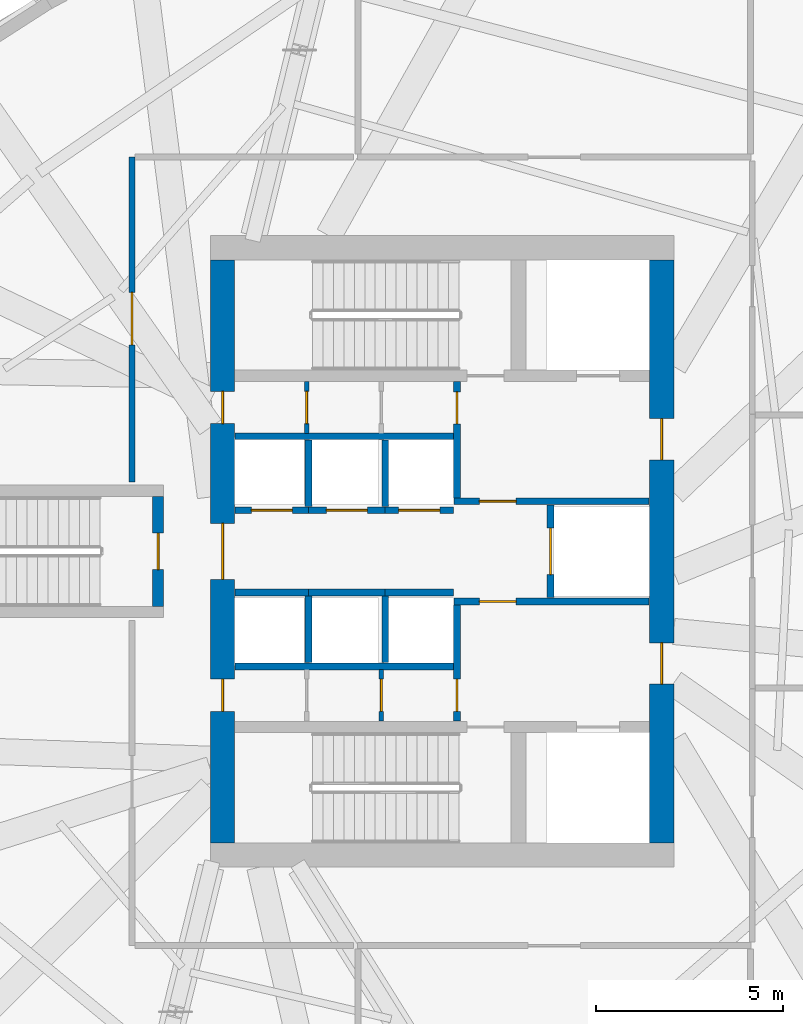
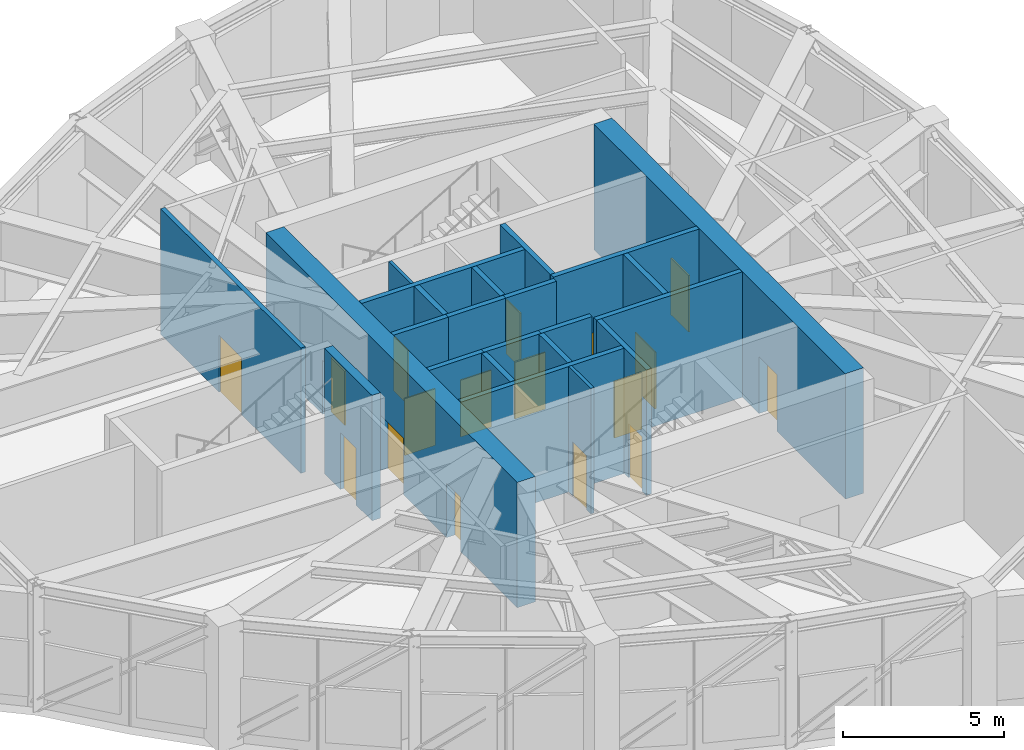
# One storey, part 4 of 9: 23 walls, 17 doors, 17 openings.
"""IFC4 building model written with IfcOpenShell, lengths in metres."""

from ifc_helpers import new_model, si_unit, direction, frame, frame_2d, origin, place, context, subcontext, project, spatial, rectangle, extrude, source, transform, mapped, material, layer, layer_set, type_object, element, fill, save


model = new_model("IFC4")

# Units and contexts
model_context = context("Model", 3, precision=1e-05, world=origin(), true_north=direction((0.0, 1.0)))
body_context = subcontext(model_context, "Body", "Model", "MODEL_VIEW")
ifc_project = project(units=[si_unit("LENGTHUNIT", "METRE"), si_unit("AREAUNIT", "SQUARE_METRE"), si_unit("VOLUMEUNIT", "CUBIC_METRE"), si_unit("PLANEANGLEUNIT", "RADIAN"), si_unit("MASSUNIT", "GRAM", prefix="KILO")], contexts=[model_context])

# Site, building, storey
site_placement = place(None, origin())
site = spatial("IfcSite", under=ifc_project, at=site_placement, CompositionType="ELEMENT")
building_placement = place(site_placement, origin())
building = spatial("IfcBuilding", under=site, at=building_placement, Name="Qafzar Sky-Pleat Residences", CompositionType="ELEMENT")
storey_placement = place(building_placement, frame((0.0, 0.0, 128.0)))
storey = spatial("IfcBuildingStorey", under=building, at=storey_placement, Name="L38", CompositionType="ELEMENT", Elevation=128.0)

# Wall, opening, door
ifc_material_1 = material(Name="Acoustic gypsum plasterboard partition", Category="gypsum")
ifc_layer_1 = layer(ifc_material_1, 0.159912109375)
ifc_layer_set_1 = layer_set([ifc_layer_1], Name="Acoustic gypsum plasterboard partition")
wall_type_1 = type_object("IfcWallType", Name="PART-COR-160", PredefinedType="PARTITIONING", material=ifc_layer_set_1)
wall_1_placement = place(storey_placement, frame((22.050048828125, 27.85009765625, 0.0), z_axis=(0.0, 0.0, 1.0), x_axis=(0.0, 1.0, 0.0)))
wall_1 = element("IfcWall", 1, at=wall_1_placement, inside=storey, type_object=wall_type_1, Name="L38 Partition Wall PART-L38-PW-004", PredefinedType="PARTITIONING", context=body_context, shape_type="SweptSolid", body=[
    extrude(rectangle(XDim=8.699951171875, YDim=0.159912109375, at=frame_2d((4.35009765625, 0.0))), origin(), (0.0, 0.0, 1.0), 4.75),
])
opening_1_placement = place(wall_1_placement, frame((3.679443359375, 0.0, 0.0)))
opening_1 = element("IfcOpeningElement", 2, at=opening_1_placement, cuts=wall_1, Name="Opening ID-10", PredefinedType="OPENING", context=body_context, shape_type="SweptSolid", body=[
    extrude(rectangle(XDim=1.39990234375, YDim=2.14990234375, at=frame_2d((0.699951171875, 1.074951171875))), frame((0.0, 0.08984375, 0.0), z_axis=(0.0, -1.0, 0.0), x_axis=(1.0, 0.0, 0.0)), (0.0, 0.0, 1.0), 0.179931640625),
])
ifc_material_2 = material(Name="Timber-faced fire door", Category="wood")
door_type_1 = type_object("IfcDoorType", Name="DR-PLANT-1400", OperationType="DOUBLE_DOOR_SINGLE_SWING", PredefinedType="DOOR", material=ifc_material_2)
shared_shape_1 = source(origin(), body_context, "Body", "SweptSolid", [
    extrude(rectangle(XDim=1.39990234375, YDim=2.14990234375, at=frame_2d((0.699951171875, 1.074951171875))), frame((0.0, 0.02490234375, 0.0), z_axis=(0.0, -1.0, 0.0), x_axis=(1.0, 0.0, 0.0)), (0.0, 0.0, 1.0), 0.050048828125),
])
door_1_placement = place(opening_1_placement, origin())
door_1 = element("IfcDoor", 3, at=door_1_placement, inside=storey, type_object=door_type_1, Name="L38 Chiller and Heat Exchanger Plant Room Door", OperationType="DOUBLE_DOOR_SINGLE_SWING", OverallHeight=2.14990234375, OverallWidth=1.39990234375, PredefinedType="DOOR", context=body_context, shape_type="MappedRepresentation", body=[
    mapped(shared_shape_1, transform((0.0, 0.0, 0.0), x_axis=(1.0, 0.0, 0.0), y_axis=(0.0, 1.0, 0.0), z_axis=(0.0, 0.0, 1.0), scale=1.0)),
])
fill(opening_1, door_1)

ifc_material_3 = material(Name="Concrete blockwork partition", Category="masonry")
ifc_layer_2 = layer(ifc_material_3, 0.179931640625)
ifc_layer_set_2 = layer_set([ifc_layer_2], Name="Concrete blockwork partition")
wall_type_2 = type_object("IfcWallType", Name="PART-SHAFT-180", PredefinedType="PARTITIONING", material=ifc_layer_set_2)
wall_2_placement = place(storey_placement, frame((30.75, 21.4599609375, 0.0), z_axis=(0.0, 0.0, 1.0), x_axis=(0.0, 1.0, 0.0)))
wall_2 = element("IfcWall", 4, at=wall_2_placement, inside=storey, type_object=wall_type_2, Name="L38 Partition Wall PART-L38-FFL1-W", PredefinedType="PARTITIONING", context=body_context, shape_type="SweptSolid", body=[
    extrude(rectangle(XDim=3.110107421875, YDim=0.179931640625, at=frame_2d((1.55517578125, 0.0))), origin(), (0.0, 0.0, 1.0), 4.75),
])
opening_2_placement = place(wall_2_placement, frame((0.260009765625, 0.0, 0.0)))
opening_2 = element("IfcOpeningElement", 5, at=opening_2_placement, cuts=wall_2, Name="Opening ID-09", PredefinedType="OPENING", context=body_context, shape_type="SweptSolid", body=[
    extrude(rectangle(XDim=0.860107421875, YDim=2.050048828125, at=frame_2d((0.43017578125, 1.02490234375))), frame((0.0, 0.10009765625, 0.0), z_axis=(0.0, -1.0, 0.0), x_axis=(1.0, 0.0, 0.0)), (0.0, 0.0, 1.0), 0.199951171875),
])
door_type_2 = type_object("IfcDoorType", Name="DR-SVC-860", OperationType="NOTDEFINED", PredefinedType="DOOR", material=ifc_material_2)
shared_shape_2 = source(origin(), body_context, "Body", "SweptSolid", [
    extrude(rectangle(XDim=0.860107421875, YDim=2.050048828125, at=frame_2d((0.43017578125, 1.02490234375))), frame((0.0, 0.02490234375, 0.0), z_axis=(0.0, -1.0, 0.0), x_axis=(1.0, 0.0, 0.0)), (0.0, 0.0, 1.0), 0.050048828125),
])
door_2_placement = place(opening_2_placement, origin())
door_2 = element("IfcDoor", 6, at=door_2_placement, inside=storey, type_object=door_type_2, Name="L38 South Core Cupboard Door", OperationType="SINGLE_SWING_LEFT", OverallHeight=2.050048828125, OverallWidth=0.860107421875, PredefinedType="DOOR", context=body_context, shape_type="MappedRepresentation", body=[
    mapped(shared_shape_2, transform((0.0, 0.0, 0.0), x_axis=(1.0, 0.0, 0.0), y_axis=(0.0, 1.0, 0.0), z_axis=(0.0, 0.0, 1.0), scale=1.0)),
])
fill(opening_2, door_2)

wall_3_placement = place(storey_placement, frame((30.669921875, 24.659912109375, 0.0), z_axis=(0.0, 0.0, 1.0), x_axis=(1.0, 0.0, 0.0)))
wall_3 = element("IfcWall", 7, at=wall_3_placement, inside=storey, type_object=wall_type_2, Name="L38 Partition Wall PART-L38-FFL1-N", PredefinedType="PARTITIONING", context=body_context, shape_type="SweptSolid", body=[
    extrude(rectangle(XDim=5.219970703125, YDim=0.179931640625, at=frame_2d((2.60986328125, 0.0))), origin(), (0.0, 0.0, 1.0), 4.75),
])
opening_3_placement = place(wall_3_placement, frame((0.679931640625, 0.0, 0.0)))
opening_3 = element("IfcOpeningElement", 8, at=opening_3_placement, cuts=wall_3, Name="Opening ID-01", PredefinedType="OPENING", context=body_context, shape_type="SweptSolid", body=[
    extrude(rectangle(XDim=0.97998046875, YDim=2.14990234375, at=frame_2d((0.489990234375, 1.074951171875))), frame((0.0, 0.10009765625, 0.0), z_axis=(0.0, -1.0, 0.0), x_axis=(1.0, 0.0, 0.0)), (0.0, 0.0, 1.0), 0.199951171875),
])
door_type_3 = type_object("IfcDoorType", Name="DR-STAIR-980", OperationType="NOTDEFINED", PredefinedType="DOOR", material=ifc_material_2)
shared_shape_3 = source(origin(), body_context, "Body", "SweptSolid", [
    extrude(rectangle(XDim=0.97998046875, YDim=2.14990234375, at=frame_2d((0.489990234375, 1.074951171875))), frame((0.0, 0.02490234375, 0.0), z_axis=(0.0, -1.0, 0.0), x_axis=(1.0, 0.0, 0.0)), (0.0, 0.0, 1.0), 0.050048828125),
])
door_3_placement = place(opening_3_placement, origin())
door_3 = element("IfcDoor", 9, at=door_3_placement, inside=storey, type_object=door_type_3, Name="L38 Lift Lobby to South Firefighting Lobby Door", OperationType="SINGLE_SWING_RIGHT", OverallHeight=2.14990234375, OverallWidth=0.97998046875, PredefinedType="DOOR", context=body_context, shape_type="MappedRepresentation", body=[
    mapped(shared_shape_3, transform((0.0, 0.0, 0.0), x_axis=(1.0, 0.0, 0.0), y_axis=(0.0, 1.0, 0.0), z_axis=(0.0, 0.0, 1.0), scale=1.0)),
])
fill(opening_3, door_3)

wall_4_placement = place(storey_placement, frame((30.75, 27.429931640625, 0.0), z_axis=(0.0, 0.0, 1.0), x_axis=(0.0, 1.0, 0.0)))
wall_4 = element("IfcWall", 10, at=wall_4_placement, inside=storey, type_object=wall_type_2, Name="L38 Partition Wall PART-L38-FFL2-W", PredefinedType="PARTITIONING", context=body_context, shape_type="SweptSolid", body=[
    extrude(rectangle(XDim=3.110107421875, YDim=0.179931640625, at=frame_2d((1.55517578125, 0.0))), origin(), (0.0, 0.0, 1.0), 4.75),
])
opening_4_placement = place(wall_4_placement, frame((1.97998046875, 0.0, 0.0)))
opening_4 = element("IfcOpeningElement", 11, at=opening_4_placement, cuts=wall_4, Name="Opening ID-09", PredefinedType="OPENING", context=body_context, shape_type="SweptSolid", body=[
    extrude(rectangle(XDim=0.860107421875, YDim=2.050048828125, at=frame_2d((0.43017578125, 1.02490234375))), frame((0.0, 0.10009765625, 0.0), z_axis=(0.0, -1.0, 0.0), x_axis=(1.0, 0.0, 0.0)), (0.0, 0.0, 1.0), 0.199951171875),
])
door_4_placement = place(opening_4_placement, origin())
door_4 = element("IfcDoor", 12, at=door_4_placement, inside=storey, type_object=door_type_2, Name="L38 North Core Cupboard Door", OperationType="SINGLE_SWING_LEFT", OverallHeight=2.050048828125, OverallWidth=0.860107421875, PredefinedType="DOOR", context=body_context, shape_type="MappedRepresentation", body=[
    mapped(shared_shape_2, transform((0.0, 0.0, 0.0), x_axis=(1.0, 0.0, 0.0), y_axis=(0.0, 1.0, 0.0), z_axis=(0.0, 0.0, 1.0), scale=1.0)),
])
fill(opening_4, door_4)

wall_5_placement = place(storey_placement, frame((30.669921875, 27.340087890625, 0.0), z_axis=(0.0, 0.0, 1.0), x_axis=(1.0, 0.0, 0.0)))
wall_5 = element("IfcWall", 13, at=wall_5_placement, inside=storey, type_object=wall_type_2, Name="L38 Partition Wall PART-L38-FFL2-S", PredefinedType="PARTITIONING", context=body_context, shape_type="SweptSolid", body=[
    extrude(rectangle(XDim=5.219970703125, YDim=0.179931640625, at=frame_2d((2.60986328125, 0.0))), origin(), (0.0, 0.0, 1.0), 4.75),
])
opening_5_placement = place(wall_5_placement, frame((0.679931640625, 0.0, 0.0)))
opening_5 = element("IfcOpeningElement", 14, at=opening_5_placement, cuts=wall_5, Name="Opening ID-01", PredefinedType="OPENING", context=body_context, shape_type="SweptSolid", body=[
    extrude(rectangle(XDim=0.97998046875, YDim=2.14990234375, at=frame_2d((0.489990234375, 1.074951171875))), frame((0.0, 0.10009765625, 0.0), z_axis=(0.0, -1.0, 0.0), x_axis=(1.0, 0.0, 0.0)), (0.0, 0.0, 1.0), 0.199951171875),
])
door_5_placement = place(opening_5_placement, origin())
door_5 = element("IfcDoor", 15, at=door_5_placement, inside=storey, type_object=door_type_3, Name="L38 Lift Lobby to North Firefighting Lobby Door", OperationType="SINGLE_SWING_RIGHT", OverallHeight=2.14990234375, OverallWidth=0.97998046875, PredefinedType="DOOR", context=body_context, shape_type="MappedRepresentation", body=[
    mapped(shared_shape_3, transform((0.0, 0.0, 0.0), x_axis=(1.0, 0.0, 0.0), y_axis=(0.0, 1.0, 0.0), z_axis=(0.0, 0.0, 1.0), scale=1.0)),
])
fill(opening_5, door_5)

wall_6_placement = place(storey_placement, frame((33.25, 24.760009765625, 0.0), z_axis=(0.0, 0.0, 1.0), x_axis=(0.0, 1.0, 0.0)))
wall_6 = element("IfcWall", 16, at=wall_6_placement, inside=storey, type_object=wall_type_2, Name="L38 Partition Wall PART-L38-SV1-W", PredefinedType="PARTITIONING", context=body_context, shape_type="SweptSolid", body=[
    extrude(rectangle(XDim=2.47998046875, YDim=0.179931640625, at=frame_2d((1.239990234375, 0.0))), origin(), (0.0, 0.0, 1.0), 4.75),
])
opening_6_placement = place(wall_6_placement, frame((0.614990234375, 0.0, 0.0)))
opening_6 = element("IfcOpeningElement", 17, at=opening_6_placement, cuts=wall_6, Name="Opening LD-03", PredefinedType="OPENING", context=body_context, shape_type="SweptSolid", body=[
    extrude(rectangle(XDim=1.25, YDim=2.14990234375, at=frame_2d((0.625, 1.074951171875))), frame((0.0, 0.10009765625, 0.0), z_axis=(0.0, -1.0, 0.0), x_axis=(1.0, 0.0, 0.0)), (0.0, 0.0, 1.0), 0.199951171875),
])
ifc_material_4 = material(Name="Stainless steel sliding landing door", Category="steel")
door_type_4 = type_object("IfcDoorType", Name="DR-LIFT-SV", OperationType="DOUBLE_DOOR_SLIDING", PredefinedType="DOOR", material=ifc_material_4)
shared_shape_4 = source(origin(), body_context, "Body", "SweptSolid", [
    extrude(rectangle(XDim=1.25, YDim=2.14990234375, at=frame_2d((0.625, 1.074951171875))), frame((0.0, 0.02490234375, 0.0), z_axis=(0.0, -1.0, 0.0), x_axis=(1.0, 0.0, 0.0)), (0.0, 0.0, 1.0), 0.050048828125),
])
door_6_placement = place(opening_6_placement, origin())
door_6 = element("IfcDoor", 18, at=door_6_placement, inside=storey, type_object=door_type_4, Name="L38 Service Lift SV1 Landing Door", OperationType="DOUBLE_DOOR_SLIDING", OverallHeight=2.14990234375, OverallWidth=1.25, PredefinedType="DOOR", context=body_context, shape_type="MappedRepresentation", body=[
    mapped(shared_shape_4, transform((0.0, 0.0, 0.0), x_axis=(1.0, 0.0, 0.0), y_axis=(0.0, 1.0, 0.0), z_axis=(0.0, 0.0, 1.0), scale=1.0)),
])
fill(opening_6, door_6)

# Walls
wall_7_placement = place(storey_placement, frame((24.81005859375, 22.919921875, 0.0), z_axis=(0.0, 0.0, 1.0), x_axis=(1.0, 0.0, 0.0)))
element("IfcWall", 19, at=wall_7_placement, inside=storey, type_object=wall_type_2, Name="L38 Partition Wall PART-L38-P13-S", PredefinedType="PARTITIONING", context=body_context, shape_type="SweptSolid", body=[
    extrude(rectangle(XDim=5.83984375, YDim=0.179931640625, at=frame_2d((2.919921875, 0.0))), origin(), (0.0, 0.0, 1.0), 4.75),
])
wall_8_placement = place(storey_placement, frame((24.81005859375, 24.89990234375, 0.0), z_axis=(0.0, 0.0, 1.0), x_axis=(1.0, 0.0, 0.0)))
element("IfcWall", 20, at=wall_8_placement, inside=storey, type_object=wall_type_2, Name="L38 Partition Wall PART-L38-P1-N", PredefinedType="PARTITIONING", context=body_context, shape_type="SweptSolid", body=[
    extrude(rectangle(XDim=1.96484375, YDim=0.179931640625, at=frame_2d((0.982421875, 0.0))), origin(), (0.0, 0.0, 1.0), 4.75),
])
wall_9_placement = place(storey_placement, frame((26.77490234375, 24.89990234375, 0.0), z_axis=(0.0, 0.0, 1.0), x_axis=(1.0, 0.0, 0.0)))
element("IfcWall", 21, at=wall_9_placement, inside=storey, type_object=wall_type_2, Name="L38 Partition Wall PART-L38-P2-N", PredefinedType="PARTITIONING", context=body_context, shape_type="SweptSolid", body=[
    extrude(rectangle(XDim=2.050048828125, YDim=0.179931640625, at=frame_2d((1.02490234375, 0.0))), origin(), (0.0, 0.0, 1.0), 4.75),
])
wall_10_placement = place(storey_placement, frame((26.77490234375, 23.02001953125, 0.0), z_axis=(0.0, 0.0, 1.0), x_axis=(0.0, 1.0, 0.0)))
element("IfcWall", 22, at=wall_10_placement, inside=storey, type_object=wall_type_2, Name="L38 Partition Wall PART-L38-P13-DIV-1", PredefinedType="PARTITIONING", context=body_context, shape_type="SweptSolid", body=[
    extrude(rectangle(XDim=1.780029296875, YDim=0.179931640625, at=frame_2d((0.89013671875, 0.0))), origin(), (0.0, 0.0, 1.0), 4.75),
])
wall_11_placement = place(storey_placement, frame((28.824951171875, 24.89990234375, 0.0), z_axis=(0.0, 0.0, 1.0), x_axis=(1.0, 0.0, 0.0)))
element("IfcWall", 23, at=wall_11_placement, inside=storey, type_object=wall_type_2, Name="L38 Partition Wall PART-L38-P3-N", PredefinedType="PARTITIONING", context=body_context, shape_type="SweptSolid", body=[
    extrude(rectangle(XDim=1.824951171875, YDim=0.179931640625, at=frame_2d((0.91259765625, 0.0))), origin(), (0.0, 0.0, 1.0), 4.75),
])
wall_12_placement = place(storey_placement, frame((28.824951171875, 23.02001953125, 0.0), z_axis=(0.0, 0.0, 1.0), x_axis=(0.0, 1.0, 0.0)))
element("IfcWall", 24, at=wall_12_placement, inside=storey, type_object=wall_type_2, Name="L38 Partition Wall PART-L38-P13-DIV-2", PredefinedType="PARTITIONING", context=body_context, shape_type="SweptSolid", body=[
    extrude(rectangle(XDim=1.780029296875, YDim=0.179931640625, at=frame_2d((0.89013671875, 0.0))), origin(), (0.0, 0.0, 1.0), 4.75),
])
wall_13_placement = place(storey_placement, frame((24.81005859375, 29.080078125, 0.0), z_axis=(0.0, 0.0, 1.0), x_axis=(1.0, 0.0, 0.0)))
element("IfcWall", 25, at=wall_13_placement, inside=storey, type_object=wall_type_2, Name="L38 Partition Wall PART-L38-P46-N", PredefinedType="PARTITIONING", context=body_context, shape_type="SweptSolid", body=[
    extrude(rectangle(XDim=5.83984375, YDim=0.179931640625, at=frame_2d((2.919921875, 0.0))), origin(), (0.0, 0.0, 1.0), 4.75),
])

# Wall, opening, door
wall_14_placement = place(storey_placement, frame((24.81005859375, 27.10009765625, 0.0), z_axis=(0.0, 0.0, 1.0), x_axis=(1.0, 0.0, 0.0)))
wall_14 = element("IfcWall", 26, at=wall_14_placement, inside=storey, type_object=wall_type_2, Name="L38 Partition Wall PART-L38-P4-S", PredefinedType="PARTITIONING", context=body_context, shape_type="SweptSolid", body=[
    extrude(rectangle(XDim=1.96484375, YDim=0.179931640625, at=frame_2d((0.982421875, 0.0))), origin(), (0.0, 0.0, 1.0), 4.75),
])
opening_7_placement = place(wall_14_placement, frame((0.4326171875, 0.0, 0.0)))
opening_7 = element("IfcOpeningElement", 27, at=opening_7_placement, cuts=wall_14, Name="Opening LD-01", PredefinedType="OPENING", context=body_context, shape_type="SweptSolid", body=[
    extrude(rectangle(XDim=1.10009765625, YDim=2.14990234375, at=frame_2d((0.550048828125, 1.074951171875))), frame((0.0, 0.10009765625, 0.0), z_axis=(0.0, -1.0, 0.0), x_axis=(1.0, 0.0, 0.0)), (0.0, 0.0, 1.0), 0.199951171875),
])
door_type_5 = type_object("IfcDoorType", Name="DR-LIFT-P", OperationType="DOUBLE_DOOR_SLIDING", PredefinedType="DOOR", material=ifc_material_4)
shared_shape_5 = source(origin(), body_context, "Body", "SweptSolid", [
    extrude(rectangle(XDim=1.10009765625, YDim=2.14990234375, at=frame_2d((0.550048828125, 1.074951171875))), frame((0.0, 0.02490234375, 0.0), z_axis=(0.0, -1.0, 0.0), x_axis=(1.0, 0.0, 0.0)), (0.0, 0.0, 1.0), 0.050048828125),
])
door_7_placement = place(opening_7_placement, origin())
door_7 = element("IfcDoor", 28, at=door_7_placement, inside=storey, type_object=door_type_5, Name="L38 Passenger Lift P4 Landing Door", OperationType="DOUBLE_DOOR_SLIDING", OverallHeight=2.14990234375, OverallWidth=1.10009765625, PredefinedType="DOOR", context=body_context, shape_type="MappedRepresentation", body=[
    mapped(shared_shape_5, transform((0.0, 0.0, 0.0), x_axis=(1.0, 0.0, 0.0), y_axis=(0.0, 1.0, 0.0), z_axis=(0.0, 0.0, 1.0), scale=1.0)),
])
fill(opening_7, door_7)

wall_15_placement = place(storey_placement, frame((26.77490234375, 27.10009765625, 0.0), z_axis=(0.0, 0.0, 1.0), x_axis=(1.0, 0.0, 0.0)))
wall_15 = element("IfcWall", 29, at=wall_15_placement, inside=storey, type_object=wall_type_2, Name="L38 Partition Wall PART-L38-P5-S", PredefinedType="PARTITIONING", context=body_context, shape_type="SweptSolid", body=[
    extrude(rectangle(XDim=2.050048828125, YDim=0.179931640625, at=frame_2d((1.02490234375, 0.0))), origin(), (0.0, 0.0, 1.0), 4.75),
])
opening_8_placement = place(wall_15_placement, frame((0.47509765625, 0.0, 0.0)))
opening_8 = element("IfcOpeningElement", 30, at=opening_8_placement, cuts=wall_15, Name="Opening LD-01", PredefinedType="OPENING", context=body_context, shape_type="SweptSolid", body=[
    extrude(rectangle(XDim=1.10009765625, YDim=2.14990234375, at=frame_2d((0.550048828125, 1.074951171875))), frame((0.0, 0.10009765625, 0.0), z_axis=(0.0, -1.0, 0.0), x_axis=(1.0, 0.0, 0.0)), (0.0, 0.0, 1.0), 0.199951171875),
])
door_8_placement = place(opening_8_placement, origin())
door_8 = element("IfcDoor", 31, at=door_8_placement, inside=storey, type_object=door_type_5, Name="L38 Passenger Lift P5 Landing Door", OperationType="DOUBLE_DOOR_SLIDING", OverallHeight=2.14990234375, OverallWidth=1.10009765625, PredefinedType="DOOR", context=body_context, shape_type="MappedRepresentation", body=[
    mapped(shared_shape_5, transform((0.0, 0.0, 0.0), x_axis=(1.0, 0.0, 0.0), y_axis=(0.0, 1.0, 0.0), z_axis=(0.0, 0.0, 1.0), scale=1.0)),
])
fill(opening_8, door_8)

# Wall
wall_16_placement = place(storey_placement, frame((26.77490234375, 27.199951171875, 0.0), z_axis=(0.0, 0.0, 1.0), x_axis=(0.0, 1.0, 0.0)))
element("IfcWall", 32, at=wall_16_placement, inside=storey, type_object=wall_type_2, Name="L38 Partition Wall PART-L38-P46-DIV-1", PredefinedType="PARTITIONING", context=body_context, shape_type="SweptSolid", body=[
    extrude(rectangle(XDim=1.780029296875, YDim=0.179931640625, at=frame_2d((0.89013671875, 0.0))), origin(), (0.0, 0.0, 1.0), 4.75),
])

# Wall, opening, door
wall_17_placement = place(storey_placement, frame((28.824951171875, 27.10009765625, 0.0), z_axis=(0.0, 0.0, 1.0), x_axis=(1.0, 0.0, 0.0)))
wall_17 = element("IfcWall", 33, at=wall_17_placement, inside=storey, type_object=wall_type_2, Name="L38 Partition Wall PART-L38-P6-S", PredefinedType="PARTITIONING", context=body_context, shape_type="SweptSolid", body=[
    extrude(rectangle(XDim=1.824951171875, YDim=0.179931640625, at=frame_2d((0.91259765625, 0.0))), origin(), (0.0, 0.0, 1.0), 4.75),
])
opening_9_placement = place(wall_17_placement, frame((0.362548828125, 0.0, 0.0)))
opening_9 = element("IfcOpeningElement", 34, at=opening_9_placement, cuts=wall_17, Name="Opening LD-01", PredefinedType="OPENING", context=body_context, shape_type="SweptSolid", body=[
    extrude(rectangle(XDim=1.10009765625, YDim=2.14990234375, at=frame_2d((0.550048828125, 1.074951171875))), frame((0.0, 0.10009765625, 0.0), z_axis=(0.0, -1.0, 0.0), x_axis=(1.0, 0.0, 0.0)), (0.0, 0.0, 1.0), 0.199951171875),
])
door_9_placement = place(opening_9_placement, origin())
door_9 = element("IfcDoor", 35, at=door_9_placement, inside=storey, type_object=door_type_5, Name="L38 Passenger Lift P6 Landing Door", OperationType="DOUBLE_DOOR_SLIDING", OverallHeight=2.14990234375, OverallWidth=1.10009765625, PredefinedType="DOOR", context=body_context, shape_type="MappedRepresentation", body=[
    mapped(shared_shape_5, transform((0.0, 0.0, 0.0), x_axis=(1.0, 0.0, 0.0), y_axis=(0.0, 1.0, 0.0), z_axis=(0.0, 0.0, 1.0), scale=1.0)),
])
fill(opening_9, door_9)

# Wall
wall_18_placement = place(storey_placement, frame((28.824951171875, 27.199951171875, 0.0), z_axis=(0.0, 0.0, 1.0), x_axis=(0.0, 1.0, 0.0)))
element("IfcWall", 36, at=wall_18_placement, inside=storey, type_object=wall_type_2, Name="L38 Partition Wall PART-L38-P46-DIV-2", PredefinedType="PARTITIONING", context=body_context, shape_type="SweptSolid", body=[
    extrude(rectangle(XDim=1.780029296875, YDim=0.179931640625, at=frame_2d((0.89013671875, 0.0))), origin(), (0.0, 0.0, 1.0), 4.75),
])

# Wall, opening, door
ifc_material_5 = material(Name="Gypsum plasterboard partition", Category="gypsum")
ifc_layer_3 = layer(ifc_material_5, 0.114990234375)
ifc_layer_set_3 = layer_set([ifc_layer_3], Name="Gypsum plasterboard partition")
wall_type_3 = type_object("IfcWallType", Name="PART-SVC-115", PredefinedType="PARTITIONING", material=ifc_layer_set_3)
wall_19_placement = place(storey_placement, frame((26.72509765625, 29.159912109375, 0.0), z_axis=(0.0, 0.0, 1.0), x_axis=(0.0, 1.0, 0.0)))
wall_19 = element("IfcWall", 37, at=wall_19_placement, inside=storey, type_object=wall_type_3, Name="L38 Partition Wall PART-L38-KC-NW-1", PredefinedType="PARTITIONING", context=body_context, shape_type="SweptSolid", body=[
    extrude(rectangle(XDim=1.380126953125, YDim=0.114990234375, at=frame_2d((0.68994140625, 0.0))), origin(), (0.0, 0.0, 1.0), 4.75),
])
opening_10_placement = place(wall_19_placement, frame((0.260009765625, 0.0, 0.0)))
opening_10 = element("IfcOpeningElement", 38, at=opening_10_placement, cuts=wall_19, Name="Opening ID-09", PredefinedType="OPENING", context=body_context, shape_type="SweptSolid", body=[
    extrude(rectangle(XDim=0.860107421875, YDim=2.050048828125, at=frame_2d((0.43017578125, 1.02490234375))), frame((0.0, 0.0673828125, 0.0), z_axis=(0.0, -1.0, 0.0), x_axis=(1.0, 0.0, 0.0)), (0.0, 0.0, 1.0), 0.135009765625),
])
door_10_placement = place(opening_10_placement, origin())
door_10 = element("IfcDoor", 39, at=door_10_placement, inside=storey, type_object=door_type_2, Name="L38 Core North Cupboard 1 Door", OperationType="SINGLE_SWING_RIGHT", OverallHeight=2.050048828125, OverallWidth=0.860107421875, PredefinedType="DOOR", context=body_context, shape_type="MappedRepresentation", body=[
    mapped(shared_shape_2, transform((0.0, 0.0, 0.0), x_axis=(1.0, 0.0, 0.0), y_axis=(0.0, 1.0, 0.0), z_axis=(0.0, 0.0, 1.0), scale=1.0)),
])
fill(opening_10, door_10)

wall_20_placement = place(storey_placement, frame((28.72509765625, 21.4599609375, 0.0), z_axis=(0.0, 0.0, 1.0), x_axis=(0.0, 1.0, 0.0)))
wall_20 = element("IfcWall", 40, at=wall_20_placement, inside=storey, type_object=wall_type_3, Name="L38 Partition Wall PART-L38-KC-SW-2", PredefinedType="PARTITIONING", context=body_context, shape_type="SweptSolid", body=[
    extrude(rectangle(XDim=1.380126953125, YDim=0.114990234375, at=frame_2d((0.68994140625, 0.0))), origin(), (0.0, 0.0, 1.0), 4.75),
])
opening_11_placement = place(wall_20_placement, frame((0.260009765625, 0.0, 0.0)))
opening_11 = element("IfcOpeningElement", 41, at=opening_11_placement, cuts=wall_20, Name="Opening ID-09", PredefinedType="OPENING", context=body_context, shape_type="SweptSolid", body=[
    extrude(rectangle(XDim=0.860107421875, YDim=2.050048828125, at=frame_2d((0.43017578125, 1.02490234375))), frame((0.0, 0.0673828125, 0.0), z_axis=(0.0, -1.0, 0.0), x_axis=(1.0, 0.0, 0.0)), (0.0, 0.0, 1.0), 0.135009765625),
])
door_11_placement = place(opening_11_placement, origin())
door_11 = element("IfcDoor", 42, at=door_11_placement, inside=storey, type_object=door_type_2, Name="L38 Core South Cupboard 2 Door", OperationType="SINGLE_SWING_LEFT", OverallHeight=2.050048828125, OverallWidth=0.860107421875, PredefinedType="DOOR", context=body_context, shape_type="MappedRepresentation", body=[
    mapped(shared_shape_2, transform((0.0, 0.0, 0.0), x_axis=(1.0, 0.0, 0.0), y_axis=(0.0, 1.0, 0.0), z_axis=(0.0, 0.0, 1.0), scale=1.0)),
])
fill(opening_11, door_11)

ifc_material_6 = material(Name="Concrete C60/75", Category="concrete")
ifc_layer_4 = layer(ifc_material_6, 0.300048828125)
ifc_layer_set_4 = layer_set([ifc_layer_4], Name="Concrete C60/75")
wall_type_4 = type_object("IfcWallType", Name="WALL-SHEAR-300", PredefinedType="SHEAR", material=ifc_layer_set_4)
wall_21_placement = place(storey_placement, frame((22.75, 24.52490234375, 0.0), z_axis=(0.0, 0.0, 1.0), x_axis=(0.0, 1.0, 0.0)))
wall_21 = element("IfcWall", 43, at=wall_21_placement, inside=storey, type_object=wall_type_4, Name="L38 ST3 wall E", PredefinedType="SHEAR", context=body_context, shape_type="SweptSolid", body=[
    extrude(rectangle(XDim=2.9501953125, YDim=0.300048828125, at=frame_2d((1.47509765625, 0.0))), origin(), (0.0, 0.0, 1.0), 4.75),
])
opening_12_placement = place(wall_21_placement, frame((0.985107421875, 0.0, 0.0)))
opening_12 = element("IfcOpeningElement", 44, at=opening_12_placement, cuts=wall_21, Name="Opening ID-01", PredefinedType="OPENING", context=body_context, shape_type="SweptSolid", body=[
    extrude(rectangle(XDim=0.97998046875, YDim=2.14990234375, at=frame_2d((0.489990234375, 1.074951171875))), frame((0.0, 0.16015625, 0.0), z_axis=(0.0, -1.0, 0.0), x_axis=(1.0, 0.0, 0.0)), (0.0, 0.0, 1.0), 0.320068359375),
])
door_12_placement = place(opening_12_placement, origin())
door_12 = element("IfcDoor", 45, at=door_12_placement, inside=storey, type_object=door_type_3, Name="L38 Stair ST3 Fire Door", OperationType="SINGLE_SWING_RIGHT", OverallHeight=2.14990234375, OverallWidth=0.97998046875, PredefinedType="DOOR", context=body_context, shape_type="MappedRepresentation", body=[
    mapped(shared_shape_3, transform((0.0, 0.0, 0.0), x_axis=(1.0, 0.0, 0.0), y_axis=(0.0, 1.0, 0.0), z_axis=(0.0, 0.0, 1.0), scale=1.0)),
])
fill(opening_12, door_12)

# Wall, openings, doors
ifc_layer_5 = layer(ifc_material_6, 0.64990234375)
ifc_layer_set_5 = layer_set([ifc_layer_5], Name="Concrete C60/75")
wall_type_5 = type_object("IfcWallType", Name="WALL-SHEAR-650", PredefinedType="SHEAR", material=ifc_layer_set_5)
wall_22_placement = place(storey_placement, frame((24.47509765625, 33.800048828125, 0.0), z_axis=(0.0, 0.0, 1.0), x_axis=(0.0, -1.0, 0.0)))
wall_22 = element("IfcWall", 46, at=wall_22_placement, inside=storey, type_object=wall_type_5, Name="L38 CORE wall W", PredefinedType="SHEAR", context=body_context, shape_type="SweptSolid", body=[
    extrude(rectangle(XDim=15.60009765625, YDim=0.64990234375, at=frame_2d((7.800048828125, 0.0))), origin(), (0.0, 0.0, 1.0), 4.75),
])
opening_13_placement = place(wall_22_placement, frame((7.050048828125, 0.0, 0.0)))
opening_13 = element("IfcOpeningElement", 47, at=opening_13_placement, cuts=wall_22, Name="Opening ID-03", PredefinedType="OPENING", context=body_context, shape_type="SweptSolid", body=[
    extrude(rectangle(XDim=1.5, YDim=2.14990234375, at=frame_2d((0.75, 1.074951171875))), frame((0.0, 0.3349609375, 0.0), z_axis=(0.0, -1.0, 0.0), x_axis=(1.0, 0.0, 0.0)), (0.0, 0.0, 1.0), 0.669921875),
])
opening_14_placement = place(wall_22_placement, frame((3.52001953125, 0.0, 0.0)))
opening_14 = element("IfcOpeningElement", 48, at=opening_14_placement, cuts=wall_22, Name="Opening ID-09", PredefinedType="OPENING", context=body_context, shape_type="SweptSolid", body=[
    extrude(rectangle(XDim=0.860107421875, YDim=2.050048828125, at=frame_2d((0.43017578125, 1.02490234375))), frame((0.0, 0.3349609375, 0.0), z_axis=(0.0, -1.0, 0.0), x_axis=(1.0, 0.0, 0.0)), (0.0, 0.0, 1.0), 0.669921875),
])
opening_15_placement = place(wall_22_placement, frame((11.219970703125, 0.0, 0.0)))
opening_15 = element("IfcOpeningElement", 49, at=opening_15_placement, cuts=wall_22, Name="Opening ID-09", PredefinedType="OPENING", context=body_context, shape_type="SweptSolid", body=[
    extrude(rectangle(XDim=0.860107421875, YDim=2.050048828125, at=frame_2d((0.43017578125, 1.02490234375))), frame((0.0, 0.3349609375, 0.0), z_axis=(0.0, -1.0, 0.0), x_axis=(1.0, 0.0, 0.0)), (0.0, 0.0, 1.0), 0.669921875),
])
door_type_6 = type_object("IfcDoorType", Name="DR-COR-1500", OperationType="DOUBLE_DOOR_SINGLE_SWING", PredefinedType="DOOR", material=ifc_material_2)
shared_shape_6 = source(origin(), body_context, "Body", "SweptSolid", [
    extrude(rectangle(XDim=1.5, YDim=2.14990234375, at=frame_2d((0.75, 1.074951171875))), frame((0.0, 0.02490234375, 0.0), z_axis=(0.0, -1.0, 0.0), x_axis=(1.0, 0.0, 0.0)), (0.0, 0.0, 1.0), 0.050048828125),
])
door_13_placement = place(opening_13_placement, origin())
door_13 = element("IfcDoor", 50, at=door_13_placement, inside=storey, type_object=door_type_6, Name="L38 Lift Lobby West Double Door", OperationType="DOUBLE_DOOR_SINGLE_SWING", OverallHeight=2.14990234375, OverallWidth=1.5, PredefinedType="DOOR", context=body_context, shape_type="MappedRepresentation", body=[
    mapped(shared_shape_6, transform((0.0, 0.0, 0.0), x_axis=(1.0, 0.0, 0.0), y_axis=(0.0, 1.0, 0.0), z_axis=(0.0, 0.0, 1.0), scale=1.0)),
])
fill(opening_13, door_13)
door_14_placement = place(opening_14_placement, origin())
door_14 = element("IfcDoor", 51, at=door_14_placement, inside=storey, type_object=door_type_2, Name="L38 Core North-West Service Door", OperationType="SINGLE_SWING_LEFT", OverallHeight=2.050048828125, OverallWidth=0.860107421875, PredefinedType="DOOR", context=body_context, shape_type="MappedRepresentation", body=[
    mapped(shared_shape_2, transform((0.0, 0.0, 0.0), x_axis=(1.0, 0.0, 0.0), y_axis=(0.0, 1.0, 0.0), z_axis=(0.0, 0.0, 1.0), scale=1.0)),
])
fill(opening_14, door_14)
door_15_placement = place(opening_15_placement, origin())
door_15 = element("IfcDoor", 52, at=door_15_placement, inside=storey, type_object=door_type_2, Name="L38 Core South-West Service Door", OperationType="SINGLE_SWING_RIGHT", OverallHeight=2.050048828125, OverallWidth=0.860107421875, PredefinedType="DOOR", context=body_context, shape_type="MappedRepresentation", body=[
    mapped(shared_shape_2, transform((0.0, 0.0, 0.0), x_axis=(1.0, 0.0, 0.0), y_axis=(0.0, 1.0, 0.0), z_axis=(0.0, 0.0, 1.0), scale=1.0)),
])
fill(opening_15, door_15)

wall_23_placement = place(storey_placement, frame((36.22509765625, 18.199951171875, 0.0), z_axis=(0.0, 0.0, 1.0), x_axis=(0.0, 1.0, 0.0)))
wall_23 = element("IfcWall", 53, at=wall_23_placement, inside=storey, type_object=wall_type_5, Name="L38 CORE wall E", PredefinedType="SHEAR", context=body_context, shape_type="SweptSolid", body=[
    extrude(rectangle(XDim=15.60009765625, YDim=0.64990234375, at=frame_2d((7.800048828125, 0.0))), origin(), (0.0, 0.0, 1.0), 4.75),
])
opening_16_placement = place(wall_23_placement, frame((4.25, 0.0, 0.0)))
opening_16 = element("IfcOpeningElement", 54, at=opening_16_placement, cuts=wall_23, Name="Opening ID-02", PredefinedType="OPENING", context=body_context, shape_type="SweptSolid", body=[
    extrude(rectangle(XDim=1.10009765625, YDim=2.14990234375, at=frame_2d((0.550048828125, 1.074951171875))), frame((0.0, 0.3349609375, 0.0), z_axis=(0.0, -1.0, 0.0), x_axis=(1.0, 0.0, 0.0)), (0.0, 0.0, 1.0), 0.669921875),
])
opening_17_placement = place(wall_23_placement, frame((10.25, 0.0, 0.0)))
opening_17 = element("IfcOpeningElement", 55, at=opening_17_placement, cuts=wall_23, Name="Opening ID-02", PredefinedType="OPENING", context=body_context, shape_type="SweptSolid", body=[
    extrude(rectangle(XDim=1.10009765625, YDim=2.14990234375, at=frame_2d((0.550048828125, 1.074951171875))), frame((0.0, 0.3349609375, 0.0), z_axis=(0.0, -1.0, 0.0), x_axis=(1.0, 0.0, 0.0)), (0.0, 0.0, 1.0), 0.669921875),
])
door_type_7 = type_object("IfcDoorType", Name="DR-FFL-1100", OperationType="NOTDEFINED", PredefinedType="DOOR", material=ifc_material_2)
door_16_placement = place(opening_16_placement, origin())
door_16 = element("IfcDoor", 56, at=door_16_placement, inside=storey, type_object=door_type_7, Name="L38 Firefighting Lobby South Corridor Door", OperationType="SINGLE_SWING_LEFT", OverallHeight=2.14990234375, OverallWidth=1.10009765625, PredefinedType="DOOR", context=body_context, shape_type="MappedRepresentation", body=[
    mapped(shared_shape_5, transform((0.0, 0.0, 0.0), x_axis=(1.0, 0.0, 0.0), y_axis=(0.0, 1.0, 0.0), z_axis=(0.0, 0.0, 1.0), scale=1.0)),
])
fill(opening_16, door_16)
door_17_placement = place(opening_17_placement, origin())
door_17 = element("IfcDoor", 57, at=door_17_placement, inside=storey, type_object=door_type_7, Name="L38 Firefighting Lobby North Corridor Door", OperationType="SINGLE_SWING_RIGHT", OverallHeight=2.14990234375, OverallWidth=1.10009765625, PredefinedType="DOOR", context=body_context, shape_type="MappedRepresentation", body=[
    mapped(shared_shape_5, transform((0.0, 0.0, 0.0), x_axis=(1.0, 0.0, 0.0), y_axis=(0.0, 1.0, 0.0), z_axis=(0.0, 0.0, 1.0), scale=1.0)),
])
fill(opening_17, door_17)

save(model, "model.ifc")
